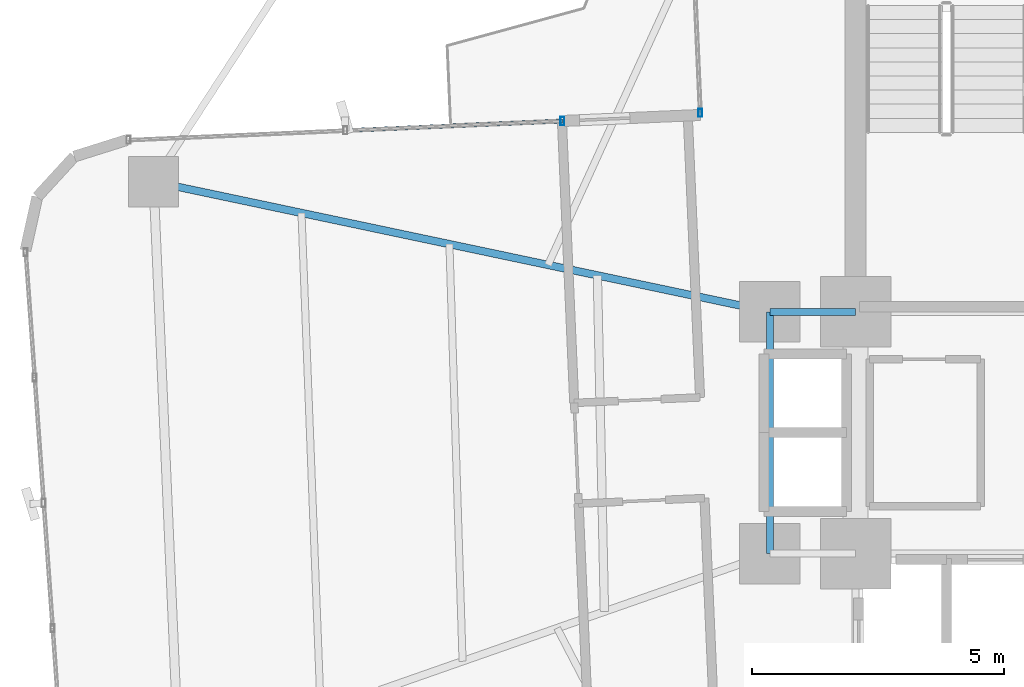
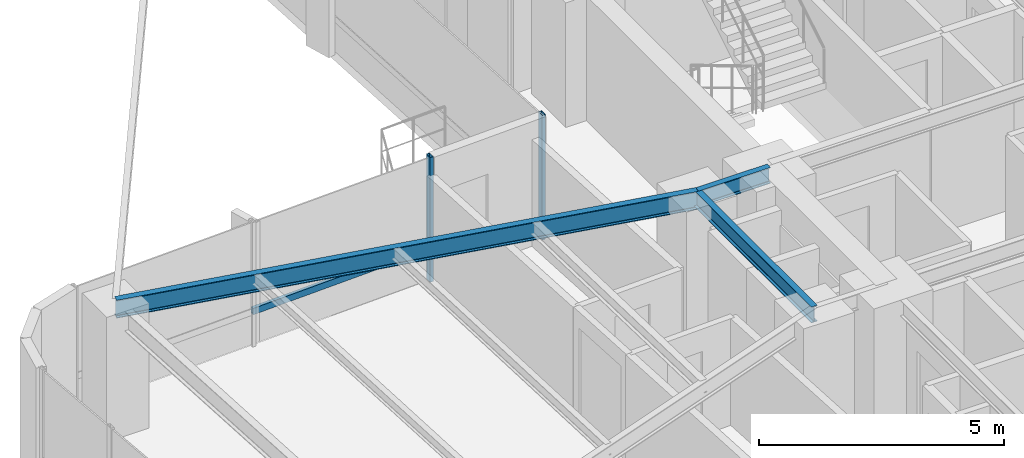
# One storey, part 10 of 26: 3 beams, 3 members, 2 elements without a shape of their own.
"""IFC4 building model written with IfcOpenShell, lengths in metres."""

from ifc_helpers import new_model, si_unit, direction, frame, origin, origin_2d, place, context, subcontext, project, spatial, hollow_rectangle, i_section, extrude, source, transform, mapped, material, material_profile, profile_set, type_object, element, aggregate, save


model = new_model("IFC4")

# Units and contexts
model_context = context("Model", 3, precision=1e-05, world=origin(), true_north=direction((0.0, 1.0)))
body_context = subcontext(model_context, "Body", "Model", "MODEL_VIEW")
ifc_project = project(units=[si_unit("LENGTHUNIT", "METRE"), si_unit("AREAUNIT", "SQUARE_METRE"), si_unit("VOLUMEUNIT", "CUBIC_METRE"), si_unit("PLANEANGLEUNIT", "RADIAN"), si_unit("MASSUNIT", "GRAM", prefix="KILO")], contexts=[model_context])

# Site, building, storey
site_placement = place(None, origin())
site = spatial("IfcSite", under=ifc_project, at=site_placement, CompositionType="ELEMENT")
building_placement = place(site_placement, origin())
building = spatial("IfcBuilding", under=site, at=building_placement, Name="Sahyath Konkavel Grand Hotel", CompositionType="ELEMENT")
storey_placement = place(building_placement, frame((0.0, 0.0, 93.550048828125)))
storey = spatial("IfcBuildingStorey", under=building, at=storey_placement, Name="L25", CompositionType="ELEMENT", Elevation=93.550048828125)

# Beams
ifc_material_1 = material(Name="Steel E350", Category="steel")
ifc_material_profile_1 = material_profile(ifc_material_1, i_section(OverallWidth=0.139892578125, OverallDepth=0.39990234375, WebThickness=0.0087890625, FlangeThickness=0.01611328125, FilletRadius=0.013916015625, at=origin_2d()), Name="ISMB 400")
ifc_profile_set_1 = profile_set([ifc_material_profile_1], Name="Steel E350")
beam_type_1 = type_object("IfcBeamType", Name="BM-ISMB400", PredefinedType="BEAM", material=ifc_profile_set_1)
shared_shape_1 = source(origin(), body_context, "Body", "SweptSolid", [
    extrude(i_section(OverallWidth=0.139892578125, OverallDepth=0.39990234375, WebThickness=0.0087890625, FlangeThickness=0.01611328125, FilletRadius=0.013916015625, at=origin_2d()), origin(), (0.0, 0.0, 1.0), 1.699951171875),
])
beam_1_placement = place(storey_placement, frame((-5.5, 2.39990234375, 2.909912109375), z_axis=(1.0, 0.0, 0.0), x_axis=(0.0, 1.0, 0.0)))
element("IfcBeam", 1, at=beam_1_placement, inside=storey, type_object=beam_type_1, Name="str:bm:L25:HB-NW", PredefinedType="BEAM", context=body_context, shape_type="MappedRepresentation", body=[
    mapped(shared_shape_1, transform((0.0, 0.0, 0.0), scale=1.0)),
])
shared_shape_2 = source(origin(), body_context, "Body", "SweptSolid", [
    extrude(i_section(OverallWidth=0.139892578125, OverallDepth=0.39990234375, WebThickness=0.0087890625, FlangeThickness=0.01611328125, FilletRadius=0.013916015625, at=origin_2d()), origin(), (0.0, 0.0, 1.0), 4.7998046875),
])
beam_2_placement = place(storey_placement, frame((-5.5, -2.39990234375, 2.909912109375), z_axis=(0.0, 1.0, 0.0), x_axis=(-1.0, 0.0, 0.0)))
element("IfcBeam", 2, at=beam_2_placement, inside=storey, type_object=beam_type_1, Name="str:bm:L25:HB-W", PredefinedType="BEAM", context=body_context, shape_type="MappedRepresentation", body=[
    mapped(shared_shape_2, transform((0.0, 0.0, 0.0), scale=1.0)),
])
ifc_material_profile_2 = material_profile(ifc_material_1, i_section(OverallWidth=0.14990234375, OverallDepth=0.449951171875, WebThickness=0.009521484375, FlangeThickness=0.017333984375, FilletRadius=0.014892578125, at=origin_2d()), Name="ISMB 450")
ifc_profile_set_2 = profile_set([ifc_material_profile_2], Name="Steel E350")
beam_type_2 = type_object("IfcBeamType", Name="BM-ISMB450", PredefinedType="BEAM", material=ifc_profile_set_2)
shared_shape_3 = source(origin(), body_context, "Body", "SweptSolid", [
    extrude(i_section(OverallWidth=0.14990234375, OverallDepth=0.449951171875, WebThickness=0.009521484375, FlangeThickness=0.017333984375, FilletRadius=0.014892578125, at=origin_2d()), origin(), (0.0, 0.0, 1.0), 12.50341796875),
])
beam_3_placement = place(storey_placement, frame((-5.5, 2.39990234375, 2.885009765625), z_axis=(-0.978457911392, 0.206446398937, 0.0), x_axis=(-0.206446398937, -0.978457911392, 0.0)))
element("IfcBeam", 3, at=beam_3_placement, inside=storey, type_object=beam_type_2, Name="L25 Cruciform Radial Girder WA", PredefinedType="BEAM", context=body_context, shape_type="MappedRepresentation", body=[
    mapped(shared_shape_3, transform((0.0, 0.0, 0.0), scale=1.0)),
])

# Curtain wall, member
ifc_material_2 = material(Name="Anodised Bronze Aluminium & Low-E Glazing", Category="aluminium")
curtain_wall_type = type_object("IfcCurtainWallType", Name="CW-ZONE2", PredefinedType="NOTDEFINED", material=ifc_material_2)
curtain_wall_1_placement = place(storey_placement, origin())
curtain_wall_1 = element("IfcCurtainWall", 4, at=curtain_wall_1_placement, inside=storey, type_object=curtain_wall_type, Name="L25 Unitised Curtain Wall F15", PredefinedType="NOTDEFINED")
ifc_material_3 = material(Name="Anodised Bronze Aluminium", Category="aluminium")
ifc_material_profile_3 = material_profile(ifc_material_3, hollow_rectangle(XDim=0.080078125, YDim=0.159912109375, WallThickness=0.006103515625, at=origin_2d()), Name="RHS 160x80x6")
ifc_profile_set_3 = profile_set([ifc_material_profile_3], Name="Anodised Bronze Aluminium")
member_type_1 = type_object("IfcMemberType", Name="CW-MUL-160", PredefinedType="MULLION", material=ifc_profile_set_3)
shared_shape_4 = source(origin(), body_context, "Body", "SweptSolid", [
    extrude(hollow_rectangle(XDim=0.080078125, YDim=0.159912109375, WallThickness=0.006103515625, at=origin_2d()), origin(), (0.0, 0.0, 1.0), 3.10986328125),
])
member_1_placement = place(storey_placement, frame((-6.88330078125, 6.345703125, 0.0), z_axis=(0.0, 0.0, 1.0), x_axis=(1.0, 0.0, 0.0)))
member_1 = element("IfcMember", 5, at=member_1_placement, type_object=member_type_1, Name="L25 Curtain Wall Mullion F15-2", PredefinedType="MULLION", context=body_context, shape_type="MappedRepresentation", body=[
    mapped(shared_shape_4, transform((0.0, 0.0, 0.0), scale=1.0)),
])
aggregate(curtain_wall_1, [member_1])

# Curtain wall, members
curtain_wall_2_placement = place(storey_placement, origin())
curtain_wall_2 = element("IfcCurtainWall", 6, at=curtain_wall_2_placement, inside=storey, type_object=curtain_wall_type, Name="L25 Unitised Curtain Wall F16", PredefinedType="NOTDEFINED")
member_2_placement = place(storey_placement, frame((-9.618896484375, 6.186279296875, 0.0), z_axis=(0.0, 0.0, 1.0), x_axis=(1.0, 0.0, 0.0)))
member_2 = element("IfcMember", 7, at=member_2_placement, type_object=member_type_1, Name="L25 Curtain Wall Mullion F16-0", PredefinedType="MULLION", context=body_context, shape_type="MappedRepresentation", body=[
    mapped(shared_shape_4, transform((0.0, 0.0, 0.0), scale=1.0)),
])
ifc_material_profile_4 = material_profile(ifc_material_3, hollow_rectangle(XDim=0.080078125, YDim=0.159912109375, WallThickness=0.006103515625, at=origin_2d()), Name="RHS 160x80x6")
ifc_profile_set_4 = profile_set([ifc_material_profile_4], Name="Anodised Bronze Aluminium")
member_type_2 = type_object("IfcMemberType", Name="CW-TRN-160", PredefinedType="USERDEFINED", material=ifc_profile_set_4)
shared_shape_5 = source(origin(), body_context, "Body", "SweptSolid", [
    extrude(hollow_rectangle(XDim=0.080078125, YDim=0.159912109375, WallThickness=0.006103515625, at=origin_2d()), origin(), (0.0, 0.0, 1.0), 4.31005859375),
])
member_3_placement = place(storey_placement, frame((-9.618896484375, 6.186279296875, 0.849853515625), z_axis=(-0.999048340188, -0.043616670746, 0.0), x_axis=(0.043616670746, -0.999048340188, 0.0)))
member_3 = element("IfcMember", 8, at=member_3_placement, type_object=member_type_2, Name="L25 Curtain Wall Transom F16-0-spandrel", ObjectType="TRANSOM", PredefinedType="USERDEFINED", context=body_context, shape_type="MappedRepresentation", body=[
    mapped(shared_shape_5, transform((0.0, 0.0, 0.0), scale=1.0)),
])
aggregate(curtain_wall_2, [member_2, member_3])

save(model, "model.ifc")
